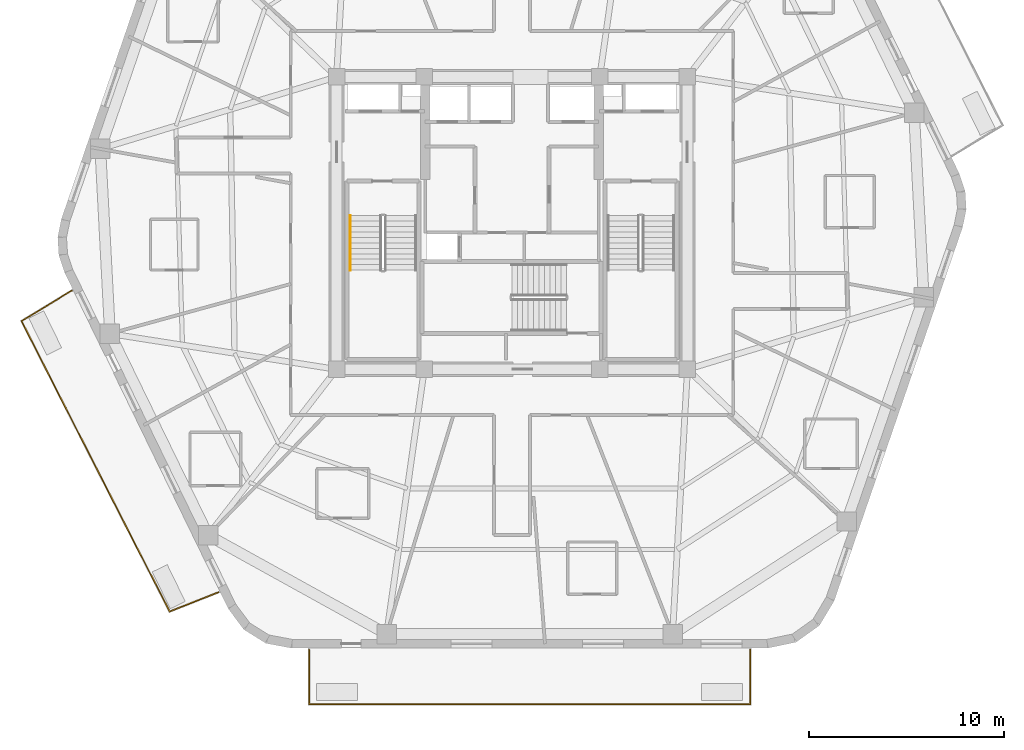
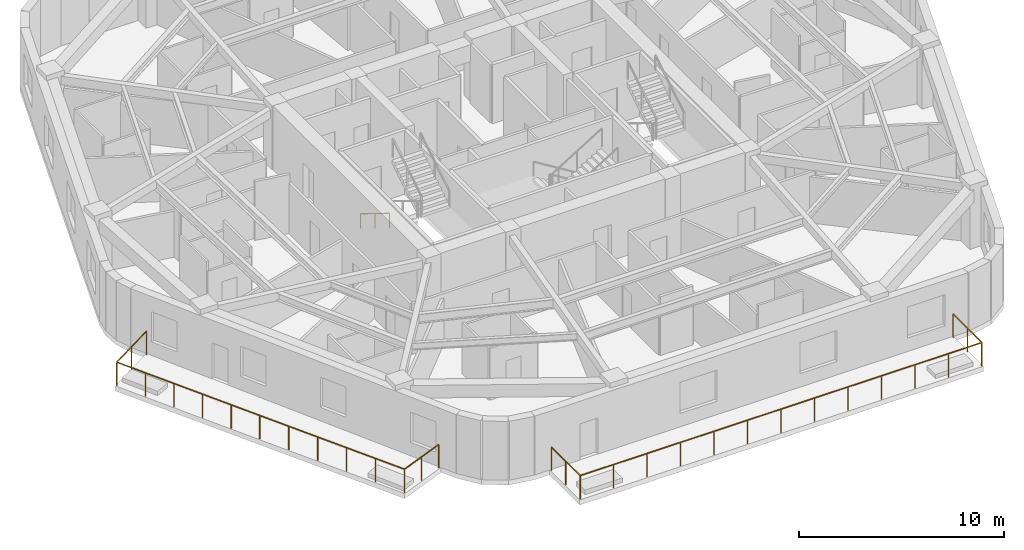
# One storey, part 8 of 10: 3 railings.
"""IFC4 building model written with IfcOpenShell, lengths in metres."""

from ifc_helpers import new_model, si_unit, direction, frame, origin, origin_2d, place, context, subcontext, project, spatial, rectangle, extrude, material, layer, layer_set, type_object, element, save


model = new_model("IFC4")

# Units and contexts
model_context = context("Model", 3, precision=1e-05, world=origin(), true_north=direction((0.0, 1.0)))
body_context = subcontext(model_context, "Body", "Model", "MODEL_VIEW")
ifc_project = project(units=[si_unit("LENGTHUNIT", "METRE"), si_unit("AREAUNIT", "SQUARE_METRE"), si_unit("VOLUMEUNIT", "CUBIC_METRE"), si_unit("PLANEANGLEUNIT", "RADIAN"), si_unit("MASSUNIT", "GRAM", prefix="KILO")], contexts=[model_context])

# Site, building, storey
site_placement = place(None, origin())
site = spatial("IfcSite", under=ifc_project, at=site_placement, CompositionType="ELEMENT")
building_placement = place(site_placement, origin())
building = spatial("IfcBuilding", under=site, at=building_placement, Name="Kilnhurst Terrace Hotel", CompositionType="ELEMENT")
storey_placement = place(building_placement, frame((0.0, 0.0, 244.5)))
storey = spatial("IfcBuildingStorey", under=building, at=storey_placement, Name="L61", CompositionType="ELEMENT", Elevation=244.5)

# Railings
ifc_material_1 = material(Name="Laminated SentryGlas and Stainless Steel AISI 316L Balustrade", Category="steel")
ifc_layer_1 = layer(ifc_material_1, 0.070068359375, Name="Laminated SentryGlas and Stainless Steel AISI 316L Balustrade")
ifc_layer_set_1 = layer_set([ifc_layer_1], Name="Laminated SentryGlas and Stainless Steel AISI 316L Balustrade")
railing_type_1 = type_object("IfcRailingType", Name="RLG-BAL-1420", PredefinedType="BALUSTRADE", material=ifc_layer_set_1)
railing_1_placement = place(storey_placement, frame((-15.0546875, -18.933349609375, 0.0)))
element("IfcRailing", 1, at=railing_1_placement, inside=storey, type_object=railing_type_1, Name="L61 Exterior Terrace Guardrail BAL-L2A.1", PredefinedType="BALUSTRADE", context=body_context, shape_type="SweptSolid", body=[
    extrude(rectangle(XDim=0.048095703125, YDim=0.048095703125, at=origin_2d()), frame((0.0, 0.0, 1.39599609375), z_axis=(-0.929913162101, -0.367779160574, 0.0), x_axis=(0.367779160574, -0.929913162101, 0.0)), (0.0, 0.0, 1.0), 2.694580078125),
    extrude(rectangle(XDim=0.048095703125, YDim=0.048095703125, at=origin_2d()), frame((-2.505615234375, -0.990966796875, 1.39599609375), z_axis=(-0.455129479154, 0.890425267614, 0.0), x_axis=(-0.890425267614, -0.455129479154, 0.0)), (0.0, 0.0, 1.0), 8.4072265625),
    extrude(rectangle(XDim=0.048095703125, YDim=0.048095703125, at=origin_2d()), frame((-6.33203125, 6.4951171875, 1.39599609375), z_axis=(-0.45338853952, 0.891312982196, 0.0), x_axis=(-0.891312982196, -0.45338853952, 0.0)), (0.0, 0.0, 1.0), 8.320068359375),
    extrude(rectangle(XDim=0.048095703125, YDim=0.048095703125, at=origin_2d()), frame((-10.104248046875, 13.910888671875, 1.39599609375), z_axis=(0.854990626614, 0.518643450168, 0.0), x_axis=(-0.518643450168, 0.854990626614, 0.0)), (0.0, 0.0, 1.0), 3.008056640625),
    extrude(rectangle(XDim=0.0419921875, YDim=0.0419921875, at=origin_2d()), origin(), (0.0, 0.0, 1.0), 1.371826171875),
    extrude(rectangle(XDim=0.0419921875, YDim=0.0419921875, at=origin_2d()), frame((-1.2529296875, -0.49560546875, 0.0)), (0.0, 0.0, 1.0), 1.371826171875),
    extrude(rectangle(XDim=0.0419921875, YDim=0.0419921875, at=origin_2d()), frame((-2.505615234375, -0.990966796875, 0.0)), (0.0, 0.0, 1.0), 1.371826171875),
    extrude(rectangle(XDim=0.0419921875, YDim=0.0419921875, at=origin_2d()), frame((-3.27099609375, 0.50634765625, 0.0)), (0.0, 0.0, 1.0), 1.371826171875),
    extrude(rectangle(XDim=0.0419921875, YDim=0.0419921875, at=origin_2d()), frame((-4.0361328125, 2.00341796875, 0.0)), (0.0, 0.0, 1.0), 1.371826171875),
    extrude(rectangle(XDim=0.0419921875, YDim=0.0419921875, at=origin_2d()), frame((-4.801513671875, 3.500732421875, 0.0)), (0.0, 0.0, 1.0), 1.371826171875),
    extrude(rectangle(XDim=0.0419921875, YDim=0.0419921875, at=origin_2d()), frame((-5.566650390625, 4.997802734375, 0.0)), (0.0, 0.0, 1.0), 1.371826171875),
    extrude(rectangle(XDim=0.0419921875, YDim=0.0419921875, at=origin_2d()), frame((-6.33203125, 6.4951171875, 0.0)), (0.0, 0.0, 1.0), 1.371826171875),
    extrude(rectangle(XDim=0.0419921875, YDim=0.0419921875, at=origin_2d()), frame((-7.08642578125, 7.978271484375, 0.0)), (0.0, 0.0, 1.0), 1.371826171875),
    extrude(rectangle(XDim=0.0419921875, YDim=0.0419921875, at=origin_2d()), frame((-7.8408203125, 9.46142578125, 0.0)), (0.0, 0.0, 1.0), 1.371826171875),
    extrude(rectangle(XDim=0.0419921875, YDim=0.0419921875, at=origin_2d()), frame((-8.595458984375, 10.944580078125, 0.0)), (0.0, 0.0, 1.0), 1.371826171875),
    extrude(rectangle(XDim=0.0419921875, YDim=0.0419921875, at=origin_2d()), frame((-9.349853515625, 12.427734375, 0.0)), (0.0, 0.0, 1.0), 1.371826171875),
    extrude(rectangle(XDim=0.0419921875, YDim=0.0419921875, at=origin_2d()), frame((-10.104248046875, 13.910888671875, 0.0)), (0.0, 0.0, 1.0), 1.371826171875),
    extrude(rectangle(XDim=0.0419921875, YDim=0.0419921875, at=origin_2d()), frame((-8.818359375, 14.69091796875, 0.0)), (0.0, 0.0, 1.0), 1.371826171875),
    extrude(rectangle(XDim=0.0419921875, YDim=0.0419921875, at=origin_2d()), frame((-7.532470703125, 15.470947265625, 0.0)), (0.0, 0.0, 1.0), 1.371826171875),
])
railing_2_placement = place(storey_placement, frame((12.21484375, -21.8798828125, 0.0)))
element("IfcRailing", 2, at=railing_2_placement, inside=storey, type_object=railing_type_1, Name="L61 Exterior Terrace Guardrail BAL-L2B.1", PredefinedType="BALUSTRADE", context=body_context, shape_type="SweptSolid", body=[
    extrude(rectangle(XDim=0.048095703125, YDim=0.048095703125, at=origin_2d()), frame((0.0, 0.0, 1.39599609375), z_axis=(0.0, -1.0, 0.0), x_axis=(1.0, 0.0, 0.0)), (0.0, 0.0, 1.0), 2.800048828125),
    extrude(rectangle(XDim=0.048095703125, YDim=0.048095703125, at=origin_2d()), frame((0.0, -2.800048828125, 1.39599609375), z_axis=(-1.0, 0.0, 0.0), x_axis=(0.0, -1.0, 0.0)), (0.0, 0.0, 1.0), 22.62353515625),
    extrude(rectangle(XDim=0.048095703125, YDim=0.048095703125, at=origin_2d()), frame((-22.62353515625, -2.800048828125, 1.39599609375), z_axis=(0.0, 1.0, 0.0), x_axis=(-1.0, 0.0, 0.0)), (0.0, 0.0, 1.0), 2.800048828125),
    extrude(rectangle(XDim=0.0419921875, YDim=0.0419921875, at=origin_2d()), origin(), (0.0, 0.0, 1.0), 1.371826171875),
    extrude(rectangle(XDim=0.0419921875, YDim=0.0419921875, at=origin_2d()), frame((0.0, -1.39990234375, 0.0)), (0.0, 0.0, 1.0), 1.371826171875),
    extrude(rectangle(XDim=0.0419921875, YDim=0.0419921875, at=origin_2d()), frame((0.0, -2.800048828125, 0.0)), (0.0, 0.0, 1.0), 1.371826171875),
    extrude(rectangle(XDim=0.0419921875, YDim=0.0419921875, at=origin_2d()), frame((-1.88525390625, -2.800048828125, 0.0)), (0.0, 0.0, 1.0), 1.371826171875),
    extrude(rectangle(XDim=0.0419921875, YDim=0.0419921875, at=origin_2d()), frame((-3.7705078125, -2.800048828125, 0.0)), (0.0, 0.0, 1.0), 1.371826171875),
    extrude(rectangle(XDim=0.0419921875, YDim=0.0419921875, at=origin_2d()), frame((-5.65576171875, -2.800048828125, 0.0)), (0.0, 0.0, 1.0), 1.371826171875),
    extrude(rectangle(XDim=0.0419921875, YDim=0.0419921875, at=origin_2d()), frame((-7.541259765625, -2.800048828125, 0.0)), (0.0, 0.0, 1.0), 1.371826171875),
    extrude(rectangle(XDim=0.0419921875, YDim=0.0419921875, at=origin_2d()), frame((-9.426513671875, -2.800048828125, 0.0)), (0.0, 0.0, 1.0), 1.371826171875),
    extrude(rectangle(XDim=0.0419921875, YDim=0.0419921875, at=origin_2d()), frame((-11.311767578125, -2.800048828125, 0.0)), (0.0, 0.0, 1.0), 1.371826171875),
    extrude(rectangle(XDim=0.0419921875, YDim=0.0419921875, at=origin_2d()), frame((-13.197021484375, -2.800048828125, 0.0)), (0.0, 0.0, 1.0), 1.371826171875),
    extrude(rectangle(XDim=0.0419921875, YDim=0.0419921875, at=origin_2d()), frame((-15.082275390625, -2.800048828125, 0.0)), (0.0, 0.0, 1.0), 1.371826171875),
    extrude(rectangle(XDim=0.0419921875, YDim=0.0419921875, at=origin_2d()), frame((-16.9677734375, -2.800048828125, 0.0)), (0.0, 0.0, 1.0), 1.371826171875),
    extrude(rectangle(XDim=0.0419921875, YDim=0.0419921875, at=origin_2d()), frame((-18.85302734375, -2.800048828125, 0.0)), (0.0, 0.0, 1.0), 1.371826171875),
    extrude(rectangle(XDim=0.0419921875, YDim=0.0419921875, at=origin_2d()), frame((-20.73828125, -2.800048828125, 0.0)), (0.0, 0.0, 1.0), 1.371826171875),
    extrude(rectangle(XDim=0.0419921875, YDim=0.0419921875, at=origin_2d()), frame((-22.62353515625, -2.800048828125, 0.0)), (0.0, 0.0, 1.0), 1.371826171875),
    extrude(rectangle(XDim=0.0419921875, YDim=0.0419921875, at=origin_2d()), frame((-22.62353515625, -1.39990234375, 0.0)), (0.0, 0.0, 1.0), 1.371826171875),
    extrude(rectangle(XDim=0.0419921875, YDim=0.0419921875, at=origin_2d()), frame((-22.62353515625, 0.0, 0.0)), (0.0, 0.0, 1.0), 1.371826171875),
])
ifc_material_2 = material(Name="Brushed Stainless Steel AISI 304", Category="steel")
ifc_layer_2 = layer(ifc_material_2, 0.048095703125, Name="Brushed Stainless Steel AISI 304")
ifc_layer_set_2 = layer_set([ifc_layer_2], Name="Brushed Stainless Steel AISI 304")
railing_type_2 = type_object("IfcRailingType", Name="RLG-ST-HRL-900", PredefinedType="HANDRAIL", material=ifc_layer_set_2)
railing_3_placement = place(storey_placement, frame((-8.300048828125, 0.389892578125, 0.172607421875)))
element("IfcRailing", 3, at=railing_3_placement, inside=storey, type_object=railing_type_2, Name="L61 ST-1 stair handrail 1", PredefinedType="HANDRAIL", context=body_context, shape_type="SweptSolid", body=[
    extrude(rectangle(XDim=0.048095703125, YDim=0.048095703125, at=origin_2d()), frame((0.0, 0.0, 0.8759765625), z_axis=(0.0, -0.851069175582, 0.525053576669), x_axis=(1.0, 0.0, 0.0)), (0.0, 0.0, 1.0), 3.289794921875),
    extrude(rectangle(XDim=0.0419921875, YDim=0.0419921875, at=origin_2d()), origin(), (0.0, 0.0, 1.0), 0.851806640625),
    extrude(rectangle(XDim=0.0419921875, YDim=0.0419921875, at=origin_2d()), frame((0.0, -1.39990234375, 0.86376953125)), (0.0, 0.0, 1.0), 0.851806640625),
    extrude(rectangle(XDim=0.0419921875, YDim=0.0419921875, at=origin_2d()), frame((0.0, -2.7998046875, 1.727294921875)), (0.0, 0.0, 1.0), 0.851806640625),
])

save(model, "model.ifc")
